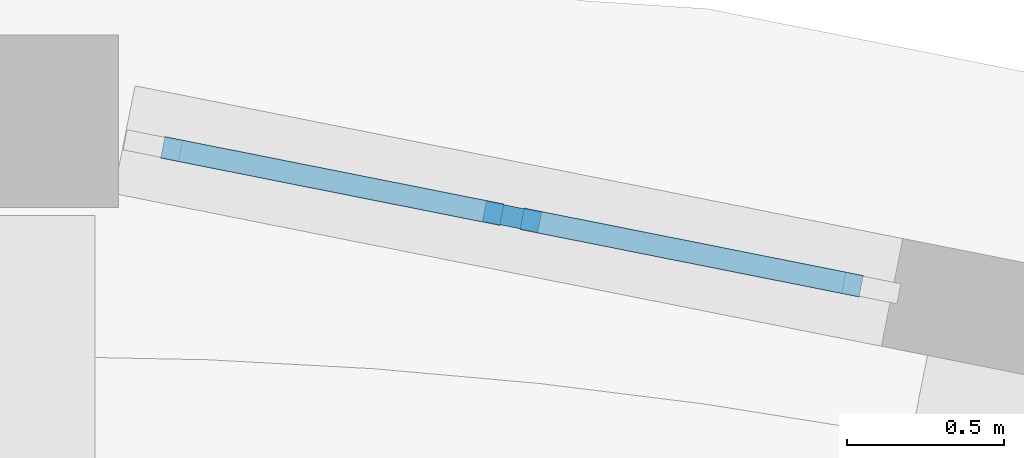
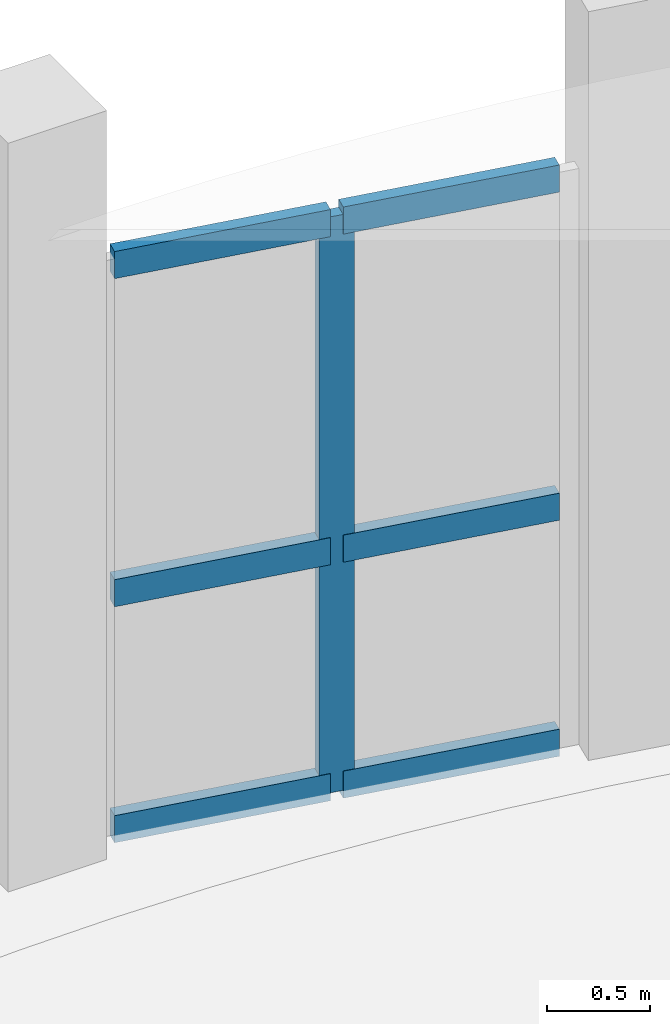
# One storey, part 41 of 92: 7 members, 1 element without a shape of its own.
"""IFC4 building model written with IfcOpenShell, lengths in metres."""

from ifc_helpers import new_model, si_unit, direction, frame, origin, origin_2d, place, context, subcontext, project, spatial, rectangle, extrude, material, layer, layer_set, material_profile, profile_set, type_object, element, aggregate, save


model = new_model("IFC4")

# Units and contexts
model_context = context("Model", 3, precision=1e-05, world=origin(), true_north=direction((0.0, 1.0)))
body_context = subcontext(model_context, "Body", "Model", "MODEL_VIEW")
ifc_project = project(units=[si_unit("LENGTHUNIT", "METRE"), si_unit("AREAUNIT", "SQUARE_METRE"), si_unit("VOLUMEUNIT", "CUBIC_METRE"), si_unit("PLANEANGLEUNIT", "RADIAN"), si_unit("MASSUNIT", "GRAM", prefix="KILO")], contexts=[model_context])

# Site, building, storey
site_placement = place(None, origin())
site = spatial("IfcSite", under=ifc_project, at=site_placement, CompositionType="ELEMENT")
building_placement = place(site_placement, origin())
building = spatial("IfcBuilding", under=site, at=building_placement, Name="Caldaven Crescent School", CompositionType="ELEMENT")
storey_placement = place(building_placement, origin())
storey = spatial("IfcBuildingStorey", under=building, at=storey_placement, Name="L00", CompositionType="ELEMENT", Elevation=0.0)

# Curtain wall, members
ifc_material_1 = material(Name="Anodised aluminium AA 6063-T6 and low-E double glazing", Category="aluminium")
ifc_layer = layer(ifc_material_1, 0.169921875)
ifc_layer_set = layer_set([ifc_layer], Name="Anodised aluminium AA 6063-T6 and low-E double glazing")
curtain_wall_type = type_object("IfcCurtainWallType", Name="CW-SYS1", PredefinedType="NOTDEFINED", material=ifc_layer_set)
curtain_wall_placement = place(storey_placement, origin())
curtain_wall = element("IfcCurtainWall", 1, at=curtain_wall_placement, inside=storey, type_object=curtain_wall_type, Name="CW-L00-044", PredefinedType="NOTDEFINED")
ifc_material_2 = material(Name="Anodised aluminium AA 6063-T6", Category="aluminium")
ifc_material_profile_1 = material_profile(ifc_material_2, rectangle(XDim=0.06494140625, YDim=0.179931640625, at=origin_2d()), Name="CWM 65x180")
ifc_profile_set_1 = profile_set([ifc_material_profile_1], Name="Anodised aluminium AA 6063-T6")
member_type_1 = type_object("IfcMemberType", Name="CWM-T2", PredefinedType="MULLION", material=ifc_profile_set_1)
member_1_placement = place(storey_placement, frame((25.03076171875, 114.195556640625, 0.0), z_axis=(0.0, 0.0, 1.0), x_axis=(-0.19509100343, -0.980785144861, 0.0)))
member_1 = element("IfcMember", 2, at=member_1_placement, type_object=member_type_1, Name="CW1 mullion 2", PredefinedType="MULLION", context=body_context, shape_type="SweptSolid", body=[
    extrude(rectangle(XDim=0.06494140625, YDim=0.179931640625, at=origin_2d()), origin(), (0.0, 0.0, 1.0), 3.39990234375),
])
ifc_material_profile_2 = material_profile(ifc_material_2, rectangle(XDim=0.070068359375, YDim=0.159912109375, at=origin_2d()), Name="CWT 70x160")
ifc_profile_set_2 = profile_set([ifc_material_profile_2], Name="Anodised aluminium AA 6063-T6")
member_type_2 = type_object("IfcMemberType", Name="CWT-T3", PredefinedType="USERDEFINED", material=ifc_profile_set_2)
member_2_placement = place(storey_placement, frame((26.14453125, 113.973876953125, 0.034912109375), z_axis=(-0.980767476073, 0.195179809092, 0.0), x_axis=(-0.195179809092, -0.980767476073, 0.0)))
member_2 = element("IfcMember", 3, at=member_2_placement, type_object=member_type_2, Name="CW1 transom 1.1", ObjectType="TRANSOM", PredefinedType="USERDEFINED", context=body_context, shape_type="SweptSolid", body=[
    extrude(rectangle(XDim=0.070068359375, YDim=0.159912109375, at=origin_2d()), origin(), (0.0, 0.0, 1.0), 1.103271484375),
])
member_3_placement = place(storey_placement, frame((26.14453125, 113.973876953125, 1.427978515625), z_axis=(-0.980767476073, 0.195179809092, 0.0), x_axis=(-0.195179809092, -0.980767476073, 0.0)))
member_3 = element("IfcMember", 4, at=member_3_placement, type_object=member_type_2, Name="CW1 transom 1.2", ObjectType="TRANSOM", PredefinedType="USERDEFINED", context=body_context, shape_type="SweptSolid", body=[
    extrude(rectangle(XDim=0.070068359375, YDim=0.159912109375, at=origin_2d()), origin(), (0.0, 0.0, 1.0), 1.103271484375),
])
member_4_placement = place(storey_placement, frame((26.14453125, 113.973876953125, 3.364990234375), z_axis=(-0.980767476073, 0.195179809092, 0.0), x_axis=(-0.195179809092, -0.980767476073, 0.0)))
member_4 = element("IfcMember", 5, at=member_4_placement, type_object=member_type_2, Name="CW1 transom 1.3", ObjectType="TRANSOM", PredefinedType="USERDEFINED", context=body_context, shape_type="SweptSolid", body=[
    extrude(rectangle(XDim=0.070068359375, YDim=0.159912109375, at=origin_2d()), origin(), (0.0, 0.0, 1.0), 1.103271484375),
])
member_5_placement = place(storey_placement, frame((24.998779296875, 114.201904296875, 0.034912109375), z_axis=(-0.980809815902, 0.19496693317, 0.0), x_axis=(-0.19496693317, -0.980809815902, 0.0)))
member_5 = element("IfcMember", 6, at=member_5_placement, type_object=member_type_2, Name="CW1 transom 2.1", ObjectType="TRANSOM", PredefinedType="USERDEFINED", context=body_context, shape_type="SweptSolid", body=[
    extrude(rectangle(XDim=0.070068359375, YDim=0.159912109375, at=origin_2d()), origin(), (0.0, 0.0, 1.0), 1.103271484375),
])
member_6_placement = place(storey_placement, frame((24.998779296875, 114.201904296875, 1.427978515625), z_axis=(-0.980809815902, 0.19496693317, 0.0), x_axis=(-0.19496693317, -0.980809815902, 0.0)))
member_6 = element("IfcMember", 7, at=member_6_placement, type_object=member_type_2, Name="CW1 transom 2.2", ObjectType="TRANSOM", PredefinedType="USERDEFINED", context=body_context, shape_type="SweptSolid", body=[
    extrude(rectangle(XDim=0.070068359375, YDim=0.159912109375, at=origin_2d()), origin(), (0.0, 0.0, 1.0), 1.103271484375),
])
member_7_placement = place(storey_placement, frame((24.998779296875, 114.201904296875, 3.364990234375), z_axis=(-0.980809815902, 0.19496693317, 0.0), x_axis=(-0.19496693317, -0.980809815902, 0.0)))
member_7 = element("IfcMember", 8, at=member_7_placement, type_object=member_type_2, Name="CW1 transom 2.3", ObjectType="TRANSOM", PredefinedType="USERDEFINED", context=body_context, shape_type="SweptSolid", body=[
    extrude(rectangle(XDim=0.070068359375, YDim=0.159912109375, at=origin_2d()), origin(), (0.0, 0.0, 1.0), 1.103271484375),
])
aggregate(curtain_wall, [member_1, member_2, member_3, member_4, member_5, member_6, member_7])

save(model, "model.ifc")
